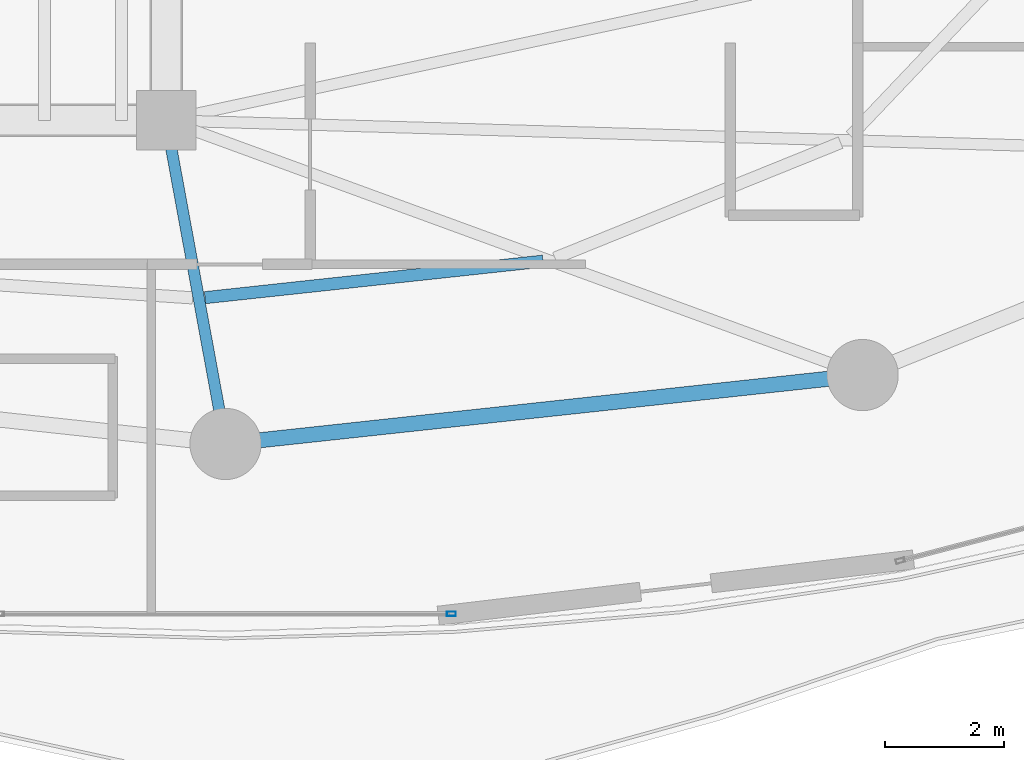
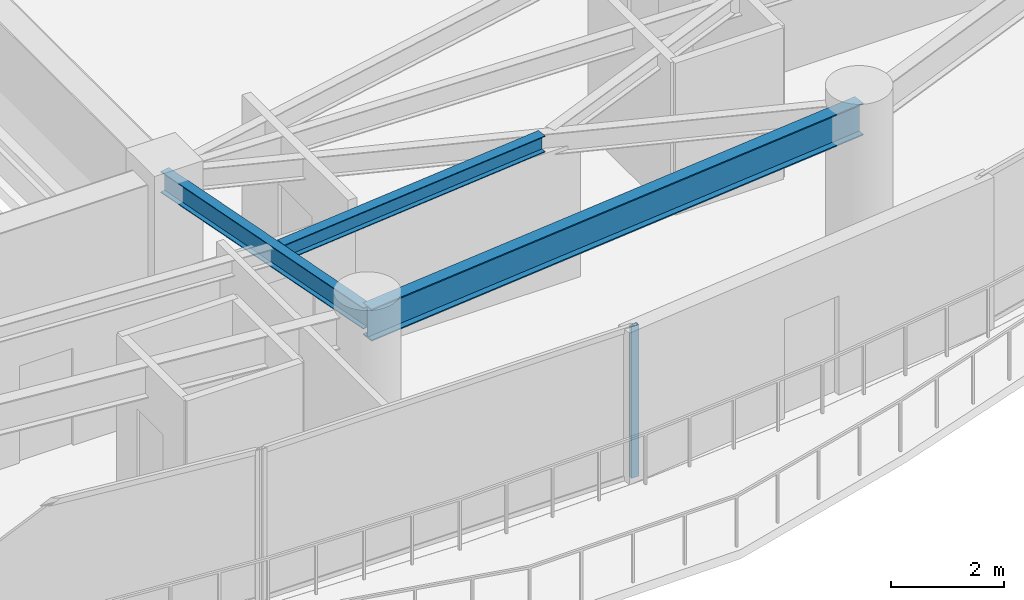
# One storey, part 10 of 33: 3 beams, 1 member, 1 element without a shape of its own.
"""IFC4 building model written with IfcOpenShell, lengths in metres."""

from ifc_helpers import new_model, si_unit, direction, frame, origin, origin_2d, place, context, subcontext, project, spatial, hollow_rectangle, i_section, extrude, material, layer, layer_set, material_profile, profile_set, type_object, element, aggregate, save


model = new_model("IFC4")

# Units and contexts
model_context = context("Model", 3, precision=1e-05, world=origin(), true_north=direction((0.0, 1.0)))
body_context = subcontext(model_context, "Body", "Model", "MODEL_VIEW")
ifc_project = project(units=[si_unit("LENGTHUNIT", "METRE"), si_unit("AREAUNIT", "SQUARE_METRE"), si_unit("VOLUMEUNIT", "CUBIC_METRE"), si_unit("PLANEANGLEUNIT", "RADIAN"), si_unit("MASSUNIT", "GRAM", prefix="KILO")], contexts=[model_context])

# Site, building, storey
site_placement = place(None, origin())
site = spatial("IfcSite", under=ifc_project, at=site_placement, CompositionType="ELEMENT")
building_placement = place(site_placement, origin())
building = spatial("IfcBuilding", under=site, at=building_placement, Name="Kazevale Care Tower and Concert Hall", CompositionType="ELEMENT")
storey_placement = place(building_placement, frame((0.0, 0.0, 178.199951171875)))
storey = spatial("IfcBuildingStorey", under=building, at=storey_placement, Name="L47", CompositionType="ELEMENT", Elevation=178.199951171875)

# Curtain wall, member
ifc_material_1 = material(Name="Aluminium 6063-T6 and Low-E Glass", Category="aluminium")
ifc_layer = layer(ifc_material_1, 0.179931640625)
ifc_layer_set = layer_set([ifc_layer], Name="Aluminium 6063-T6 and Low-E Glass")
curtain_wall_type = type_object("IfcCurtainWallType", Name="Sheltered Concave Balcony Curtain Wall CW-5", PredefinedType="NOTDEFINED", material=ifc_layer_set)
curtain_wall_placement = place(storey_placement, origin())
curtain_wall = element("IfcCurtainWall", 1, at=curtain_wall_placement, inside=storey, type_object=curtain_wall_type, Name="cw:L47:f06", PredefinedType="NOTDEFINED")
ifc_material_2 = material(Name="Aluminium 6063-T6", Category="aluminium")
ifc_material_profile_1 = material_profile(ifc_material_2, hollow_rectangle(XDim=0.074951171875, YDim=0.14990234375, WallThickness=0.00390625, at=origin_2d()), Name="ALU75x150x4")
ifc_profile_set_1 = profile_set([ifc_material_profile_1], Name="Aluminium 6063-T6")
member_type = type_object("IfcMemberType", Name="CW-5 Mullion ALU75x150x4", PredefinedType="MULLION", material=ifc_profile_set_1)
member_placement = place(storey_placement, frame((48.803466796875, 15.2890625, 0.0), z_axis=(0.0, 0.0, 1.0), x_axis=(0.0, -1.0, 0.0)))
member = element("IfcMember", 2, at=member_placement, type_object=member_type, Name="CW-5 mullion 1", PredefinedType="MULLION", context=body_context, shape_type="SweptSolid", body=[
    extrude(hollow_rectangle(XDim=0.074951171875, YDim=0.14990234375, WallThickness=0.00390625, at=origin_2d()), origin(), (0.0, 0.0, 1.0), 3.280029296875),
])
aggregate(curtain_wall, [member])

# Beams
ifc_material_3 = material(Name="Steel ASTM A572 Gr 50", Category="steel")
ifc_material_profile_2 = material_profile(ifc_material_3, i_section(OverallWidth=0.19091796875, OverallDepth=0.4599609375, WebThickness=0.010009765625, FlangeThickness=0.01611328125, at=origin_2d()), Name="W460x82")
ifc_profile_set_2 = profile_set([ifc_material_profile_2], Name="Steel ASTM A572 Gr 50")
beam_type_1 = type_object("IfcBeamType", Name="Radial Floor Beam W460x82", PredefinedType="BEAM", material=ifc_profile_set_2)
beam_1_placement = place(storey_placement, frame((44.0, 23.60009765625, 3.050048828125), z_axis=(0.180467114023, -0.983581018908, 0.0), x_axis=(0.983581018908, 0.180467114023, 0.0)))
element("IfcBeam", 3, at=beam_1_placement, inside=storey, type_object=beam_type_1, Name="beam:L47:rad:13", PredefinedType="BEAM", context=body_context, shape_type="SweptSolid", body=[
    extrude(i_section(OverallWidth=0.19091796875, OverallDepth=0.4599609375, WebThickness=0.010009765625, FlangeThickness=0.01611328125, at=origin_2d()), origin(), (0.0, 0.0, 1.0), 5.541259765625),
])
ifc_material_profile_3 = material_profile(ifc_material_3, i_section(OverallWidth=0.205078125, OverallDepth=0.35400390625, WebThickness=0.009521484375, FlangeThickness=0.016845703125, at=origin_2d()), Name="W360x79")
ifc_profile_set_3 = profile_set([ifc_material_profile_3], Name="Steel ASTM A572 Gr 50")
beam_type_2 = type_object("IfcBeamType", Name="Secondary Floor Joist W360x79", PredefinedType="JOIST", material=ifc_profile_set_3)
beam_2_placement = place(storey_placement, frame((44.654052734375, 20.614013671875, 3.10302734375), z_axis=(0.994215541126, 0.107403248482, 0.0), x_axis=(-0.107403248482, 0.994215541126, 0.0)))
element("IfcBeam", 4, at=beam_2_placement, inside=storey, type_object=beam_type_2, Name="beam:L47:joist:13", PredefinedType="JOIST", context=body_context, shape_type="SweptSolid", body=[
    extrude(i_section(OverallWidth=0.205078125, OverallDepth=0.35400390625, WebThickness=0.009521484375, FlangeThickness=0.016845703125, at=origin_2d()), origin(), (0.0, 0.0, 1.0), 5.72607421875),
])
ifc_material_profile_4 = material_profile(ifc_material_3, i_section(OverallWidth=0.256103515625, OverallDepth=0.693115234375, WebThickness=0.014404296875, FlangeThickness=0.023681640625, at=origin_2d()), Name="W690x170")
ifc_profile_set_4 = profile_set([ifc_material_profile_4], Name="Steel ASTM A572 Gr 50")
beam_type_3 = type_object("IfcBeamType", Name="Waist Ring Beam W690x170", PredefinedType="BEAM", material=ifc_profile_set_4)
beam_3_placement = place(storey_placement, frame((45.0, 18.14990234375, 2.93359375), z_axis=(0.994205479487, 0.107496346724, 0.0), x_axis=(-0.107496346724, 0.994205479487, 0.0)))
element("IfcBeam", 5, at=beam_3_placement, inside=storey, type_object=beam_type_3, Name="beam:L47:ring:13", PredefinedType="BEAM", context=body_context, shape_type="SweptSolid", body=[
    extrude(i_section(OverallWidth=0.256103515625, OverallDepth=0.693115234375, WebThickness=0.014404296875, FlangeThickness=0.023681640625, at=origin_2d()), origin(), (0.0, 0.0, 1.0), 10.79248046875),
])

save(model, "model.ifc")
